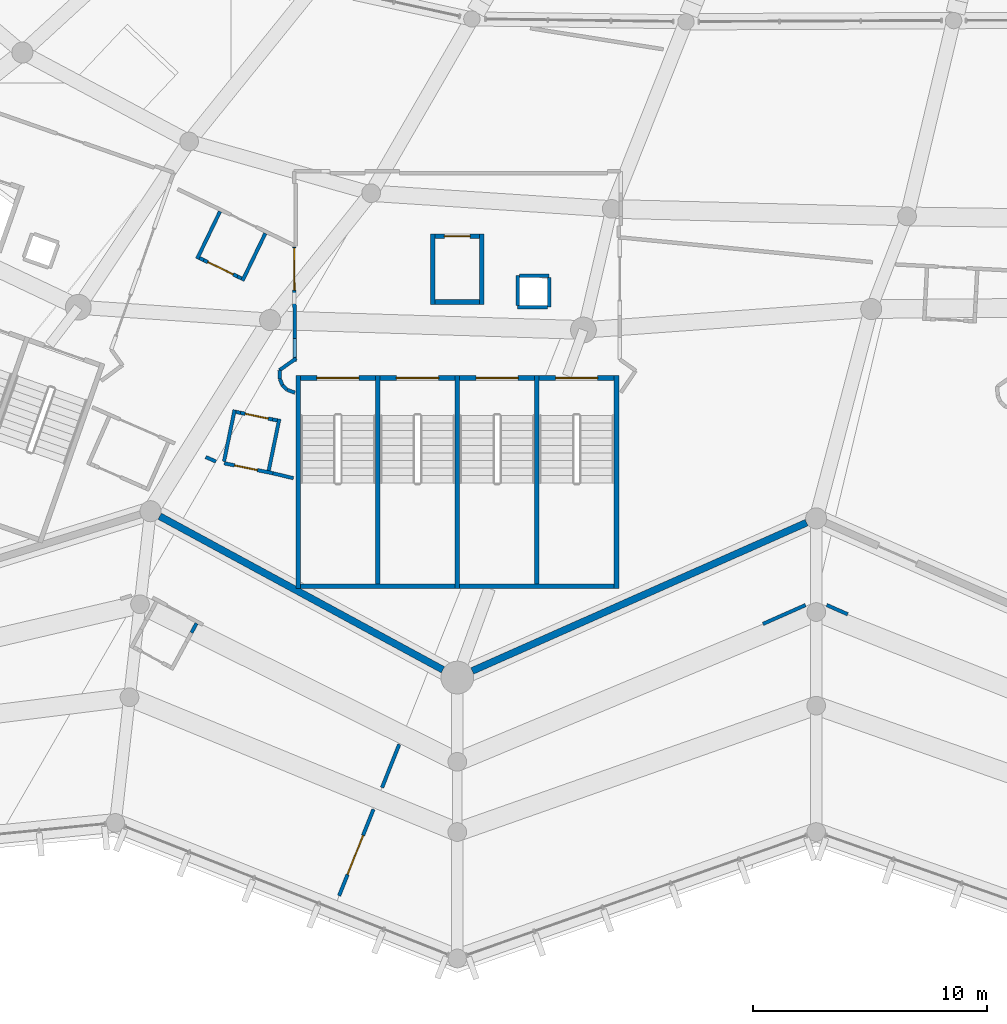
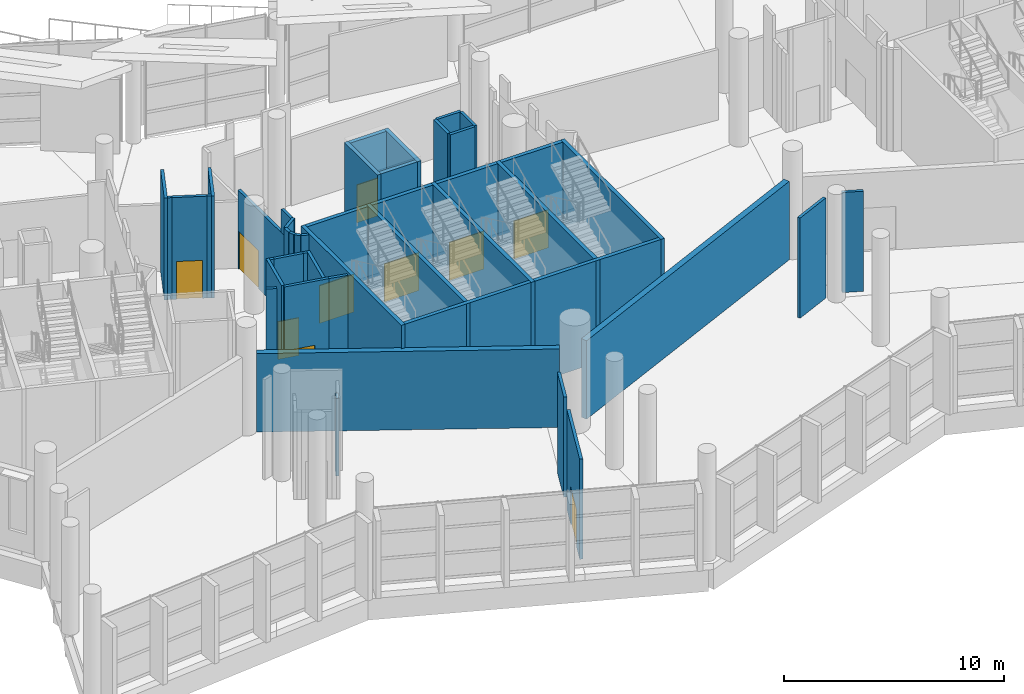
# One storey, part 141 of 249: 46 walls, 10 doors, 10 openings.
"""IFC4 building model written with IfcOpenShell, lengths in metres."""

from ifc_helpers import new_model, si_unit, direction, frame, frame_2d, origin, place, context, subcontext, project, spatial, rectangle, extrude, material, layer, layer_set, type_object, element, fill, save


model = new_model("IFC4")

# Units and contexts
model_context = context("Model", 3, precision=1e-05, world=origin(), true_north=direction((0.0, 1.0)))
body_context = subcontext(model_context, "Body", "Model", "MODEL_VIEW")
ifc_project = project(units=[si_unit("LENGTHUNIT", "METRE"), si_unit("AREAUNIT", "SQUARE_METRE"), si_unit("VOLUMEUNIT", "CUBIC_METRE"), si_unit("PLANEANGLEUNIT", "RADIAN"), si_unit("MASSUNIT", "GRAM", prefix="KILO")], contexts=[model_context])

# Site, building, storey
site_placement = place(None, origin())
site = spatial("IfcSite", under=ifc_project, at=site_placement, CompositionType="ELEMENT")
building_placement = place(site_placement, origin())
building = spatial("IfcBuilding", under=site, at=building_placement, Name="Meseta Stadium", CompositionType="ELEMENT")
storey_placement = place(building_placement, frame((0.0, 0.0, 12.0)))
storey = spatial("IfcBuildingStorey", under=building, at=storey_placement, Name="L02", CompositionType="ELEMENT", Elevation=12.0)

# Walls
ifc_material_1 = material(Name="Concrete C40/50", Category="concrete")
ifc_layer_1 = layer(ifc_material_1, 0.199951171875)
ifc_layer_set_1 = layer_set([ifc_layer_1], Name="Core divider wall 200")
wall_type_1 = type_object("IfcWallType", Name="Core divider wall 200", PredefinedType="SHEAR", material=ifc_layer_set_1)
for number, where, z_axis, x_axis, name in (
    (1, (-41.7333984375, -101.60009765625, 0.0), (0.0, 0.0, 1.0), (0.0, 1.0, 0.0), "Core 23 L02 stair A divider wall"),
    (2, (-34.933349609375, -101.60009765625, 0.0), (0.0, 0.0, 1.0), (0.0, 1.0, 0.0), "Core 23 L02 stair B divider wall"),
):
    element("IfcWall", number, at=place(storey_placement, frame(where, z_axis=z_axis, x_axis=x_axis)), inside=storey, type_object=wall_type_1, Name=name, PredefinedType="SHEAR", context=body_context, shape_type="SweptSolid", body=[
        extrude(rectangle(XDim=9.10009765625, YDim=0.199951171875, at=frame_2d((4.550048828125, 0.0))), origin(), (0.0, 0.0, 1.0), 5.64990234375),
    ])
ifc_material_2 = material(Name="Concrete C40/50", Category="concrete")
ifc_layer_2 = layer(ifc_material_2, 0.199951171875)
ifc_layer_set_2 = layer_set([ifc_layer_2], Name="Core shaft wall 200")
wall_type_2 = type_object("IfcWallType", Name="Core shaft wall 200", PredefinedType="SHEAR", material=ifc_layer_set_2)
for number, where, z_axis, x_axis, name in (
    (3, (-45.13330078125, -101.60009765625, 0.0), (0.0, 0.0, 1.0), (0.0, 1.0, 0.0), "Core 23 L02 stair wall A-side"),
    (4, (-38.333251953125, -101.60009765625, 0.0), (0.0, 0.0, 1.0), (0.0, 1.0, 0.0), "Core 23 L02 stair wall shared"),
    (5, (-31.533203125, -101.60009765625, 0.0), (0.0, 0.0, 1.0), (0.0, 1.0, 0.0), "Core 23 L02 stair wall B-side"),
):
    element("IfcWall", number, at=place(storey_placement, frame(where, z_axis=z_axis, x_axis=x_axis)), inside=storey, type_object=wall_type_2, Name=name, PredefinedType="SHEAR", context=body_context, shape_type="SweptSolid", body=[
        extrude(rectangle(XDim=9.10009765625, YDim=0.199951171875, at=frame_2d((4.550048828125, 0.0))), origin(), (0.0, 0.0, 1.0), 5.64990234375),
    ])
wall_1_placement = place(storey_placement, frame((-45.033203125, -101.5, 0.0), z_axis=(0.0, 0.0, 1.0), x_axis=(1.0, 0.0, 0.0)))
element("IfcWall", 6, at=wall_1_placement, inside=storey, type_object=wall_type_2, Name="Core 23 L02 stair A outer end wall", PredefinedType="SHEAR", context=body_context, shape_type="SweptSolid", body=[
    extrude(rectangle(XDim=6.599853515625, YDim=0.199951171875, at=frame_2d((3.2998046875, 0.0))), origin(), (0.0, 0.0, 1.0), 5.64990234375),
])
wall_2_placement = place(storey_placement, frame((-38.2333984375, -101.5, 0.0), z_axis=(0.0, 0.0, 1.0), x_axis=(1.0, 0.0, 0.0)))
element("IfcWall", 7, at=wall_2_placement, inside=storey, type_object=wall_type_2, Name="Core 23 L02 stair B outer end wall", PredefinedType="SHEAR", context=body_context, shape_type="SweptSolid", body=[
    extrude(rectangle(XDim=6.60009765625, YDim=0.199951171875, at=frame_2d((3.300048828125, 0.0))), origin(), (0.0, 0.0, 1.0), 5.64990234375),
])

# Wall, opening, door
wall_3_placement = place(storey_placement, frame((-45.033203125, -92.60009765625, 0.0), z_axis=(0.0, 0.0, 1.0), x_axis=(1.0, 0.0, 0.0)))
wall_3 = element("IfcWall", 8, at=wall_3_placement, inside=storey, type_object=wall_type_2, Name="Core 23 L02 stair A1 inner end wall", PredefinedType="SHEAR", context=body_context, shape_type="SweptSolid", body=[
    extrude(rectangle(XDim=3.199951171875, YDim=0.199951171875, at=frame_2d((1.60009765625, 0.0))), origin(), (0.0, 0.0, 1.0), 5.64990234375),
])
opening_1_placement = place(wall_3_placement, frame((0.699951171875, 0.0, 0.0)))
opening_1 = element("IfcOpeningElement", 9, at=opening_1_placement, cuts=wall_3, Name="Opening D1095", PredefinedType="OPENING", context=body_context, shape_type="SweptSolid", body=[
    extrude(rectangle(XDim=1.800048828125, YDim=2.10009765625, at=frame_2d((0.89990234375, 1.050048828125))), frame((0.0, 0.10986328125, 0.0), z_axis=(0.0, -1.0, 0.0), x_axis=(1.0, 0.0, 0.0)), (0.0, 0.0, 1.0), 0.219970703125),
])
ifc_material_3 = material(Name="Steel", Category="steel")
door_type_1 = type_object("IfcDoorType", Name="Stair door 1800x2100", OperationType="DOUBLE_DOOR_SINGLE_SWING", PredefinedType="DOOR", material=ifc_material_3)
door_1_placement = place(opening_1_placement, origin())
door_1 = element("IfcDoor", 10, at=door_1_placement, inside=storey, type_object=door_type_1, Name="Stair A1 door 23 L02", OperationType="DOUBLE_DOOR_SINGLE_SWING", OverallHeight=2.10009765625, OverallWidth=1.800048828125, PredefinedType="DOOR", context=body_context, shape_type="SweptSolid", body=[
    extrude(rectangle(XDim=1.800048828125, YDim=2.10009765625, at=frame_2d((0.89990234375, 1.050048828125))), frame((0.0, 0.02490234375, 0.0), z_axis=(0.0, -1.0, 0.0), x_axis=(1.0, 0.0, 0.0)), (0.0, 0.0, 1.0), 0.050048828125),
])
fill(opening_1, door_1)

wall_4_placement = place(storey_placement, frame((-41.63330078125, -92.60009765625, 0.0), z_axis=(0.0, 0.0, 1.0), x_axis=(1.0, 0.0, 0.0)))
wall_4 = element("IfcWall", 11, at=wall_4_placement, inside=storey, type_object=wall_type_2, Name="Core 23 L02 stair A2 inner end wall", PredefinedType="SHEAR", context=body_context, shape_type="SweptSolid", body=[
    extrude(rectangle(XDim=3.199951171875, YDim=0.199951171875, at=frame_2d((1.60009765625, 0.0))), origin(), (0.0, 0.0, 1.0), 5.64990234375),
])
opening_2_placement = place(wall_4_placement, frame((0.699951171875, 0.0, 0.0)))
opening_2 = element("IfcOpeningElement", 12, at=opening_2_placement, cuts=wall_4, Name="Opening D1098", PredefinedType="OPENING", context=body_context, shape_type="SweptSolid", body=[
    extrude(rectangle(XDim=1.800048828125, YDim=2.10009765625, at=frame_2d((0.89990234375, 1.050048828125))), frame((0.0, 0.10986328125, 0.0), z_axis=(0.0, -1.0, 0.0), x_axis=(1.0, 0.0, 0.0)), (0.0, 0.0, 1.0), 0.219970703125),
])
door_2_placement = place(opening_2_placement, origin())
door_2 = element("IfcDoor", 13, at=door_2_placement, inside=storey, type_object=door_type_1, Name="Stair A2 door 23 L02", OperationType="DOUBLE_DOOR_SINGLE_SWING", OverallHeight=2.10009765625, OverallWidth=1.800048828125, PredefinedType="DOOR", context=body_context, shape_type="SweptSolid", body=[
    extrude(rectangle(XDim=1.800048828125, YDim=2.10009765625, at=frame_2d((0.89990234375, 1.050048828125))), frame((0.0, 0.02490234375, 0.0), z_axis=(0.0, -1.0, 0.0), x_axis=(1.0, 0.0, 0.0)), (0.0, 0.0, 1.0), 0.050048828125),
])
fill(opening_2, door_2)

wall_5_placement = place(storey_placement, frame((-38.2333984375, -92.60009765625, 0.0), z_axis=(0.0, 0.0, 1.0), x_axis=(1.0, 0.0, 0.0)))
wall_5 = element("IfcWall", 14, at=wall_5_placement, inside=storey, type_object=wall_type_2, Name="Core 23 L02 stair B1 inner end wall", PredefinedType="SHEAR", context=body_context, shape_type="SweptSolid", body=[
    extrude(rectangle(XDim=3.2001953125, YDim=0.199951171875, at=frame_2d((1.60009765625, 0.0))), origin(), (0.0, 0.0, 1.0), 5.64990234375),
])
opening_3_placement = place(wall_5_placement, frame((0.699951171875, 0.0, 0.0)))
opening_3 = element("IfcOpeningElement", 15, at=opening_3_placement, cuts=wall_5, Name="Opening D1101", PredefinedType="OPENING", context=body_context, shape_type="SweptSolid", body=[
    extrude(rectangle(XDim=1.800048828125, YDim=2.10009765625, at=frame_2d((0.89990234375, 1.050048828125))), frame((0.0, 0.10986328125, 0.0), z_axis=(0.0, -1.0, 0.0), x_axis=(1.0, 0.0, 0.0)), (0.0, 0.0, 1.0), 0.219970703125),
])
door_3_placement = place(opening_3_placement, origin())
door_3 = element("IfcDoor", 16, at=door_3_placement, inside=storey, type_object=door_type_1, Name="Stair B1 door 23 L02", OperationType="DOUBLE_DOOR_SINGLE_SWING", OverallHeight=2.10009765625, OverallWidth=1.800048828125, PredefinedType="DOOR", context=body_context, shape_type="SweptSolid", body=[
    extrude(rectangle(XDim=1.800048828125, YDim=2.10009765625, at=frame_2d((0.89990234375, 1.050048828125))), frame((0.0, 0.02490234375, 0.0), z_axis=(0.0, -1.0, 0.0), x_axis=(1.0, 0.0, 0.0)), (0.0, 0.0, 1.0), 0.050048828125),
])
fill(opening_3, door_3)

wall_6_placement = place(storey_placement, frame((-34.833251953125, -92.60009765625, 0.0), z_axis=(0.0, 0.0, 1.0), x_axis=(1.0, 0.0, 0.0)))
wall_6 = element("IfcWall", 17, at=wall_6_placement, inside=storey, type_object=wall_type_2, Name="Core 23 L02 stair B2 inner end wall", PredefinedType="SHEAR", context=body_context, shape_type="SweptSolid", body=[
    extrude(rectangle(XDim=3.199951171875, YDim=0.199951171875, at=frame_2d((1.60009765625, 0.0))), origin(), (0.0, 0.0, 1.0), 5.64990234375),
])
opening_4_placement = place(wall_6_placement, frame((0.699951171875, 0.0, 0.0)))
opening_4 = element("IfcOpeningElement", 18, at=opening_4_placement, cuts=wall_6, Name="Opening D1104", PredefinedType="OPENING", context=body_context, shape_type="SweptSolid", body=[
    extrude(rectangle(XDim=1.800048828125, YDim=2.10009765625, at=frame_2d((0.89990234375, 1.050048828125))), frame((0.0, 0.10986328125, 0.0), z_axis=(0.0, -1.0, 0.0), x_axis=(1.0, 0.0, 0.0)), (0.0, 0.0, 1.0), 0.219970703125),
])
door_4_placement = place(opening_4_placement, origin())
door_4 = element("IfcDoor", 19, at=door_4_placement, inside=storey, type_object=door_type_1, Name="Stair B2 door 23 L02", OperationType="DOUBLE_DOOR_SINGLE_SWING", OverallHeight=2.10009765625, OverallWidth=1.800048828125, PredefinedType="DOOR", context=body_context, shape_type="SweptSolid", body=[
    extrude(rectangle(XDim=1.800048828125, YDim=2.10009765625, at=frame_2d((0.89990234375, 1.050048828125))), frame((0.0, 0.02490234375, 0.0), z_axis=(0.0, -1.0, 0.0), x_axis=(1.0, 0.0, 0.0)), (0.0, 0.0, 1.0), 0.050048828125),
])
fill(opening_4, door_4)

# Walls
for number, where, z_axis, x_axis, name in (
    (20, (-39.38330078125, -89.451171875, 0.0), (0.0, 0.0, 1.0), (0.0, 1.0, 0.0), "Core 23 L02 lift shaft wall left"),
    (21, (-37.283203125, -89.451171875, 0.0), (0.0, 0.0, 1.0), (0.0, 1.0, 0.0), "Core 23 L02 lift shaft wall right"),
):
    element("IfcWall", number, at=place(storey_placement, frame(where, z_axis=z_axis, x_axis=x_axis)), inside=storey, type_object=wall_type_2, Name=name, PredefinedType="SHEAR", context=body_context, shape_type="SweptSolid", body=[
        extrude(rectangle(XDim=3.0, YDim=0.199951171875, at=frame_2d((1.5, 0.0))), origin(), (0.0, 0.0, 1.0), 4.60009765625),
    ])
wall_7_placement = place(storey_placement, frame((-39.283203125, -89.35107421875, 0.0), z_axis=(0.0, 0.0, 1.0), x_axis=(1.0, 0.0, 0.0)))
element("IfcWall", 22, at=wall_7_placement, inside=storey, type_object=wall_type_2, Name="Core 23 L02 lift shaft back wall", PredefinedType="SHEAR", context=body_context, shape_type="SweptSolid", body=[
    extrude(rectangle(XDim=1.89990234375, YDim=0.199951171875, at=frame_2d((0.949951171875, 0.0))), origin(), (0.0, 0.0, 1.0), 4.60009765625),
])

# Wall, opening, door
wall_8_placement = place(storey_placement, frame((-39.283203125, -86.551025390625, 0.0), z_axis=(0.0, 0.0, 1.0), x_axis=(1.0, 0.0, 0.0)))
wall_8 = element("IfcWall", 23, at=wall_8_placement, inside=storey, type_object=wall_type_2, Name="Core 23 L02 lift shaft front wall", PredefinedType="SHEAR", context=body_context, shape_type="SweptSolid", body=[
    extrude(rectangle(XDim=1.89990234375, YDim=0.199951171875, at=frame_2d((0.949951171875, 0.0))), origin(), (0.0, 0.0, 1.0), 4.60009765625),
])
opening_5_placement = place(wall_8_placement, frame((0.39990234375, 0.0, 0.0)))
opening_5 = element("IfcOpeningElement", 24, at=opening_5_placement, cuts=wall_8, Name="Opening LD128", PredefinedType="OPENING", context=body_context, shape_type="SweptSolid", body=[
    extrude(rectangle(XDim=1.10009765625, YDim=2.10009765625, at=frame_2d((0.550048828125, 1.050048828125))), frame((0.0, 0.10986328125, 0.0), z_axis=(0.0, -1.0, 0.0), x_axis=(1.0, 0.0, 0.0)), (0.0, 0.0, 1.0), 0.219970703125),
])
ifc_material_4 = material(Name="Steel", Category="steel")
door_type_2 = type_object("IfcDoorType", Name="Lift landing door 1100x2100", OperationType="SLIDING_TO_LEFT", PredefinedType="DOOR", material=ifc_material_4)
door_5_placement = place(opening_5_placement, origin())
door_5 = element("IfcDoor", 25, at=door_5_placement, inside=storey, type_object=door_type_2, Name="Lift landing door LD128", OperationType="SLIDING_TO_RIGHT", OverallHeight=2.10009765625, OverallWidth=1.10009765625, PredefinedType="DOOR", context=body_context, shape_type="SweptSolid", body=[
    extrude(rectangle(XDim=1.10009765625, YDim=2.10009765625, at=frame_2d((0.550048828125, 1.050048828125))), frame((0.0, 0.02490234375, 0.0), z_axis=(0.0, -1.0, 0.0), x_axis=(1.0, 0.0, 0.0)), (0.0, 0.0, 1.0), 0.050048828125),
])
fill(opening_5, door_5)

# Wall
ifc_material_5 = material(Name="Masonry blockwork", Category="masonry")
ifc_layer_3 = layer(ifc_material_5, 0.14990234375)
ifc_layer_set_3 = layer_set([ifc_layer_3], Name="Partition 150")
wall_type_3 = type_object("IfcWallType", Name="Partition 150", PredefinedType="PARTITIONING", material=ifc_layer_set_3)
wall_9_placement = place(storey_placement, frame((-49.082763671875, -95.978515625, 0.0), z_axis=(0.0, 0.0, 1.0), x_axis=(0.915644030191, -0.401990062035, 0.0)))
element("IfcWall", 26, at=wall_9_placement, inside=storey, type_object=wall_type_3, Name="Partition L02 L02-cell21-2-0", PredefinedType="PARTITIONING", context=body_context, shape_type="SweptSolid", body=[
    extrude(rectangle(XDim=0.48095703125, YDim=0.14990234375, at=frame_2d((0.240478515625, 0.0))), origin(), (0.0, 0.0, 1.0), 5.64990234375),
])

# Wall, opening, door
wall_10_placement = place(storey_placement, frame((-48.29150390625, -96.244140625, 0.0), z_axis=(0.0, 0.0, 1.0), x_axis=(0.979454370032, -0.201665904471, 0.0)))
wall_10 = element("IfcWall", 27, at=wall_10_placement, inside=storey, type_object=wall_type_3, Name="Partition L02 L02-cell21-2-0", PredefinedType="PARTITIONING", context=body_context, shape_type="SweptSolid", body=[
    extrude(rectangle(XDim=2.122314453125, YDim=0.14990234375, at=frame_2d((1.06103515625, 0.0))), origin(), (0.0, 0.0, 1.0), 5.64990234375),
])
opening_6_placement = place(wall_10_placement, frame((0.449951171875, 0.0, 0.0)))
opening_6 = element("IfcOpeningElement", 28, at=opening_6_placement, cuts=wall_10, Name="Opening D1090", PredefinedType="OPENING", context=body_context, shape_type="SweptSolid", body=[
    extrude(rectangle(XDim=1.0, YDim=2.10009765625, at=frame_2d((0.5, 1.050048828125))), frame((0.0, 0.0849609375, 0.0), z_axis=(0.0, -1.0, 0.0), x_axis=(1.0, 0.0, 0.0)), (0.0, 0.0, 1.0), 0.169921875),
])
ifc_material_6 = material(Name="Steel", Category="steel")
door_type_3 = type_object("IfcDoorType", Name="Fire door 1000x2100 EI2 120", OperationType="NOTDEFINED", PredefinedType="DOOR", material=ifc_material_6)
door_6_placement = place(opening_6_placement, origin())
door_6 = element("IfcDoor", 29, at=door_6_placement, inside=storey, type_object=door_type_3, Name="Room door L02 L02-cell21-2-0", OperationType="SINGLE_SWING_LEFT", OverallHeight=2.10009765625, OverallWidth=1.0, PredefinedType="DOOR", context=body_context, shape_type="SweptSolid", body=[
    extrude(rectangle(XDim=1.0, YDim=2.10009765625, at=frame_2d((0.5, 1.050048828125))), frame((0.0, 0.02490234375, 0.0), z_axis=(0.0, -1.0, 0.0), x_axis=(1.0, 0.0, 0.0)), (0.0, 0.0, 1.0), 0.050048828125),
])
fill(opening_6, door_6)

# Walls
wall_11_placement = place(storey_placement, frame((-46.212890625, -96.672119140625, 0.0), z_axis=(0.0, 0.0, 1.0), x_axis=(0.972431382429, -0.233189207443, 0.0)))
element("IfcWall", 30, at=wall_11_placement, inside=storey, type_object=wall_type_3, Name="Partition L02 L02-cell21-2-0", PredefinedType="PARTITIONING", context=body_context, shape_type="SweptSolid", body=[
    extrude(rectangle(XDim=0.904541015625, YDim=0.14990234375, at=frame_2d((0.4521484375, 0.0))), origin(), (0.0, 0.0, 1.0), 5.64990234375),
])
wall_12_placement = place(storey_placement, frame((-40.815673828125, -108.255615234375, 0.0), z_axis=(0.0, 0.0, 1.0), x_axis=(-0.368890988449, -0.929472666968, 0.0)))
element("IfcWall", 31, at=wall_12_placement, inside=storey, type_object=wall_type_3, Name="Partition L02 L02-ring21-0", PredefinedType="PARTITIONING", context=body_context, shape_type="SweptSolid", body=[
    extrude(rectangle(XDim=1.988037109375, YDim=0.14990234375, at=frame_2d((0.994140625, 0.0))), origin(), (0.0, 0.0, 1.0), 5.550048828125),
])

# Wall, opening, door
wall_13_placement = place(storey_placement, frame((-43.38232421875, -114.723388671875, 0.0), z_axis=(0.0, 0.0, 1.0), x_axis=(0.368837942024, 0.929493718388, 0.0)))
wall_13 = element("IfcWall", 32, at=wall_13_placement, inside=storey, type_object=wall_type_3, Name="Partition L02 L02-ring21-0", PredefinedType="PARTITIONING", context=body_context, shape_type="SweptSolid", body=[
    extrude(rectangle(XDim=3.97607421875, YDim=0.14990234375, at=frame_2d((1.988037109375, 0.0))), origin(), (0.0, 0.0, 1.0), 5.550048828125),
])
opening_7_placement = place(wall_13_placement, frame((0.976318359375, 0.0, 0.0)))
opening_7 = element("IfcOpeningElement", 33, at=opening_7_placement, cuts=wall_13, Name="Opening D1096", PredefinedType="OPENING", context=body_context, shape_type="SweptSolid", body=[
    extrude(rectangle(XDim=1.800048828125, YDim=2.10009765625, at=frame_2d((0.89990234375, 1.050048828125))), frame((0.0, 0.0849609375, 0.0), z_axis=(0.0, -1.0, 0.0), x_axis=(1.0, 0.0, 0.0)), (0.0, 0.0, 1.0), 0.169921875),
])
ifc_material_7 = material(Name="Steel", Category="steel")
door_type_4 = type_object("IfcDoorType", Name="Fire double door 1800x2100 EI2 60", OperationType="DOUBLE_DOOR_SINGLE_SWING", PredefinedType="DOOR", material=ifc_material_7)
door_7_placement = place(opening_7_placement, origin())
door_7 = element("IfcDoor", 34, at=door_7_placement, inside=storey, type_object=door_type_4, Name="Room door L02 L02-ring22-0", OperationType="DOUBLE_DOOR_SINGLE_SWING", OverallHeight=2.10009765625, OverallWidth=1.800048828125, PredefinedType="DOOR", context=body_context, shape_type="SweptSolid", body=[
    extrude(rectangle(XDim=1.800048828125, YDim=2.10009765625, at=frame_2d((0.89990234375, 1.050048828125))), frame((0.0, 0.02490234375, 0.0), z_axis=(0.0, -1.0, 0.0), x_axis=(1.0, 0.0, 0.0)), (0.0, 0.0, 1.0), 0.050048828125),
])
fill(opening_7, door_7)

# Walls
wall_14_placement = place(storey_placement, frame((-25.275634765625, -103.10986328125, 0.0), z_axis=(0.0, 0.0, 1.0), x_axis=(0.914139836341, 0.405399012844, 0.0)))
element("IfcWall", 35, at=wall_14_placement, inside=storey, type_object=wall_type_3, Name="Partition L02 L02-ring22-0", PredefinedType="PARTITIONING", context=body_context, shape_type="SweptSolid", body=[
    extrude(rectangle(XDim=1.991455078125, YDim=0.14990234375, at=frame_2d((0.99560546875, 0.0))), origin(), (0.0, 0.0, 1.0), 5.550048828125),
])
wall_15_placement = place(storey_placement, frame((-22.551513671875, -102.299560546875, 0.0), z_axis=(0.0, 0.0, 1.0), x_axis=(0.914119005748, -0.405445980781, 0.0)))
element("IfcWall", 36, at=wall_15_placement, inside=storey, type_object=wall_type_3, Name="Partition L02 L02-ring22-0", PredefinedType="PARTITIONING", context=body_context, shape_type="SweptSolid", body=[
    extrude(rectangle(XDim=0.9814453125, YDim=0.14990234375, at=frame_2d((0.49072265625, 0.0))), origin(), (0.0, 0.0, 1.0), 5.550048828125),
])
wall_16_placement = place(storey_placement, frame((-35.75830078125, -89.576171875, 0.0), z_axis=(0.0, 0.0, 1.0), x_axis=(1.0, 0.0, 0.0)))
element("IfcWall", 37, at=wall_16_placement, inside=storey, type_object=wall_type_3, Name="Pressurisation shaft wall L02 core 23", PredefinedType="PARTITIONING", context=body_context, shape_type="SweptSolid", body=[
    extrude(rectangle(XDim=1.27490234375, YDim=0.14990234375, at=frame_2d((0.637451171875, 0.0))), origin(), (0.0, 0.0, 1.0), 5.64990234375),
])
for number, where, z_axis, x_axis, name in (
    (38, (-34.408203125, -89.576171875, 0.0), (0.0, 0.0, 1.0), (0.0, 1.0, 0.0), "Pressurisation shaft wall L02 core 23"),
    (39, (-34.408203125, -88.22607421875, 0.0), (0.0, 0.0, 1.0), (-1.0, 0.0, 0.0), "Pressurisation shaft wall L02 core 23"),
    (40, (-35.75830078125, -88.22607421875, 0.0), (0.0, 0.0, 1.0), (0.0, -1.0, 0.0), "Pressurisation shaft wall L02 core 23"),
):
    element("IfcWall", number, at=place(storey_placement, frame(where, z_axis=z_axis, x_axis=x_axis)), inside=storey, type_object=wall_type_3, Name=name, PredefinedType="PARTITIONING", context=body_context, shape_type="SweptSolid", body=[
        extrude(rectangle(XDim=1.275146484375, YDim=0.14990234375, at=frame_2d((0.6376953125, 0.0))), origin(), (0.0, 0.0, 1.0), 5.64990234375),
    ])
wall_17_placement = place(storey_placement, frame((-45.21630859375, -91.763916015625, 0.0), z_axis=(0.0, 0.0, 1.0), x_axis=(-0.815931335572, -0.578148817894, 0.0)))
element("IfcWall", 41, at=wall_17_placement, inside=storey, type_object=wall_type_3, Name="Stair vestibule wall L02 core 23", PredefinedType="PARTITIONING", context=body_context, shape_type="SweptSolid", body=[
    extrude(rectangle(XDim=0.875732421875, YDim=0.14990234375, at=frame_2d((0.43798828125, 0.0))), origin(), (0.0, 0.0, 1.0), 5.64990234375),
])
wall_18_placement = place(storey_placement, frame((-45.930908203125, -92.270263671875, 0.0), z_axis=(0.0, 0.0, 1.0), x_axis=(0.042929137953, -0.999078119626, 0.0)))
element("IfcWall", 42, at=wall_18_placement, inside=storey, type_object=wall_type_3, Name="Stair vestibule wall L02 core 23", PredefinedType="PARTITIONING", context=body_context, shape_type="SweptSolid", body=[
    extrude(rectangle(XDim=0.375244140625, YDim=0.14990234375, at=frame_2d((0.1875, 0.0))), origin(), (0.0, 0.0, 1.0), 5.64990234375),
])
wall_19_placement = place(storey_placement, frame((-45.914794921875, -92.645263671875, 0.0), z_axis=(0.0, 0.0, 1.0), x_axis=(0.384677041424, -0.923051230323, 0.0)))
element("IfcWall", 43, at=wall_19_placement, inside=storey, type_object=wall_type_3, Name="Stair vestibule wall L02 core 23", PredefinedType="PARTITIONING", context=body_context, shape_type="SweptSolid", body=[
    extrude(rectangle(XDim=0.28125, YDim=0.14990234375, at=frame_2d((0.140625, 0.0))), origin(), (0.0, 0.0, 1.0), 5.64990234375),
])
wall_20_placement = place(storey_placement, frame((-45.806640625, -92.90478515625, 0.0), z_axis=(0.0, 0.0, 1.0), x_axis=(0.707964399137, -0.706248121806, 0.0)))
element("IfcWall", 44, at=wall_20_placement, inside=storey, type_object=wall_type_3, Name="Stair vestibule wall L02 core 23", PredefinedType="PARTITIONING", context=body_context, shape_type="SweptSolid", body=[
    extrude(rectangle(XDim=0.284423828125, YDim=0.14990234375, at=frame_2d((0.14208984375, 0.0))), origin(), (0.0, 0.0, 1.0), 5.64990234375),
])
wall_21_placement = place(storey_placement, frame((-45.605224609375, -93.105712890625, 0.0), z_axis=(0.0, 0.0, 1.0), x_axis=(0.938178847311, -0.34615090706, 0.0)))
element("IfcWall", 45, at=wall_21_placement, inside=storey, type_object=wall_type_3, Name="Stair vestibule wall L02 core 23", PredefinedType="PARTITIONING", context=body_context, shape_type="SweptSolid", body=[
    extrude(rectangle(XDim=0.35546875, YDim=0.14990234375, at=frame_2d((0.177734375, 0.0))), origin(), (0.0, 0.0, 1.0), 5.64990234375),
])

# Wall, opening, door
wall_22_placement = place(storey_placement, frame((-45.297607421875, -86.999755859375, 0.0), z_axis=(0.0, 0.0, 1.0), x_axis=(0.003495783674, -0.99999388973, 0.0)))
wall_22 = element("IfcWall", 46, at=wall_22_placement, inside=storey, type_object=wall_type_3, Name="Stair vestibule wall L02 core 23", PredefinedType="PARTITIONING", context=body_context, shape_type="SweptSolid", body=[
    extrude(rectangle(XDim=4.888671875, YDim=0.14990234375, at=frame_2d((2.4443359375, 0.0))), origin(), (0.0, 0.0, 1.0), 4.35009765625),
])
opening_8_placement = place(wall_22_placement, frame((0.050048828125, 0.0, 0.0)))
opening_8 = element("IfcOpeningElement", 47, at=opening_8_placement, cuts=wall_22, Name="Opening D1093", PredefinedType="OPENING", context=body_context, shape_type="SweptSolid", body=[
    extrude(rectangle(XDim=1.800048828125, YDim=2.10009765625, at=frame_2d((0.89990234375, 1.050048828125))), frame((0.0, 0.0849609375, 0.0), z_axis=(0.0, -1.0, 0.0), x_axis=(1.0, 0.0, 0.0)), (0.0, 0.0, 1.0), 0.169921875),
])
door_8_placement = place(opening_8_placement, origin())
door_8 = element("IfcDoor", 48, at=door_8_placement, inside=storey, type_object=door_type_4, Name="Stair vestibule door L02 core 23", OperationType="DOUBLE_DOOR_SINGLE_SWING", OverallHeight=2.10009765625, OverallWidth=1.800048828125, PredefinedType="DOOR", context=body_context, shape_type="SweptSolid", body=[
    extrude(rectangle(XDim=1.800048828125, YDim=2.10009765625, at=frame_2d((0.89990234375, 1.050048828125))), frame((0.0, 0.02490234375, 0.0), z_axis=(0.0, -1.0, 0.0), x_axis=(1.0, 0.0, 0.0)), (0.0, 0.0, 1.0), 0.050048828125),
])
fill(opening_8, door_8)

# Walls
wall_23_placement = place(storey_placement, frame((-45.283935546875, -90.90625, 4.35009765625), z_axis=(0.0, 0.0, 1.0), x_axis=(0.003479968985, -0.99999394489, 0.0)))
element("IfcWall", 49, at=wall_23_placement, inside=storey, type_object=wall_type_3, Name="Stair vestibule wall L02 core 23", PredefinedType="PARTITIONING", context=body_context, shape_type="SweptSolid", body=[
    extrude(rectangle(XDim=0.982177734375, YDim=0.14990234375, at=frame_2d((0.4912109375, 0.0))), origin(), (0.0, 0.0, 1.0), 1.2998046875),
])
for number, where, z_axis, x_axis, name in (
    (50, (-46.5341796875, -86.422607421875, 0.0), (0.0, 0.0, 1.0), (-0.434758168481, -0.900547241925, 0.0), "Partition L02 L02-cell21-0-0 vestibule"),
    (51, (-48.47021484375, -85.48779296875, 0.0), (0.0, 0.0, 1.0), (-0.434758168481, -0.900547241925, 0.0), "Partition L02 L02-cell21-0-0 vestibule"),
):
    element("IfcWall", number, at=place(storey_placement, frame(where, z_axis=z_axis, x_axis=x_axis)), inside=storey, type_object=wall_type_3, Name=name, PredefinedType="PARTITIONING", context=body_context, shape_type="SweptSolid", body=[
        extrude(rectangle(XDim=2.250244140625, YDim=0.14990234375, at=frame_2d((1.125, 0.0))), origin(), (0.0, 0.0, 1.0), 5.64990234375),
    ])
wall_24_placement = place(storey_placement, frame((-47.54736328125, -88.348876953125, 0.0), z_axis=(0.0, 0.0, 1.0), x_axis=(-0.900205528442, 0.435465275954, 0.0)))
element("IfcWall", 52, at=wall_24_placement, inside=storey, type_object=wall_type_3, Name="Partition L02 L02-cell21-0-0 vestibule", PredefinedType="PARTITIONING", context=body_context, shape_type="SweptSolid", body=[
    extrude(rectangle(XDim=0.2001953125, YDim=0.14990234375, at=frame_2d((0.10009765625, 0.0))), origin(), (0.0, 0.0, 1.0), 5.64990234375),
])

# Wall, opening, door
wall_25_placement = place(storey_placement, frame((-47.7275390625, -88.26171875, 0.0), z_axis=(0.0, 0.0, 1.0), x_axis=(-0.90053721394, 0.434778939589, 0.0)))
wall_25 = element("IfcWall", 53, at=wall_25_placement, inside=storey, type_object=wall_type_3, Name="Partition L02 L02-cell21-0-0 vestibule", PredefinedType="PARTITIONING", context=body_context, shape_type="SweptSolid", body=[
    extrude(rectangle(XDim=1.599853515625, YDim=0.14990234375, at=frame_2d((0.7998046875, 0.0))), origin(), (0.0, 0.0, 1.0), 5.64990234375),
])
opening_9_placement = place(wall_25_placement, frame((0.199951171875, 0.0, 0.0)))
opening_9 = element("IfcOpeningElement", 54, at=opening_9_placement, cuts=wall_25, Name="Opening D1088", PredefinedType="OPENING", context=body_context, shape_type="SweptSolid", body=[
    extrude(rectangle(XDim=1.199951171875, YDim=2.10009765625, at=frame_2d((0.60009765625, 1.050048828125))), frame((0.0, 0.0849609375, 0.0), z_axis=(0.0, -1.0, 0.0), x_axis=(1.0, 0.0, 0.0)), (0.0, 0.0, 1.0), 0.169921875),
])
ifc_material_8 = material(Name="Steel", Category="steel")
door_type_5 = type_object("IfcDoorType", Name="Fire door 1200x2100 EI2 60", OperationType="NOTDEFINED", PredefinedType="DOOR", material=ifc_material_8)
door_9_placement = place(opening_9_placement, origin())
door_9 = element("IfcDoor", 55, at=door_9_placement, inside=storey, type_object=door_type_5, Name="Vestibule door L02 L02-cell21-0-0", OperationType="SINGLE_SWING_LEFT", OverallHeight=2.10009765625, OverallWidth=1.199951171875, PredefinedType="DOOR", context=body_context, shape_type="SweptSolid", body=[
    extrude(rectangle(XDim=1.199951171875, YDim=2.10009765625, at=frame_2d((0.60009765625, 1.050048828125))), frame((0.0, 0.02490234375, 0.0), z_axis=(0.0, -1.0, 0.0), x_axis=(1.0, 0.0, 0.0)), (0.0, 0.0, 1.0), 0.050048828125),
])
fill(opening_9, door_9)

# Walls
wall_26_placement = place(storey_placement, frame((-49.168212890625, -87.566162109375, 0.0), z_axis=(0.0, 0.0, 1.0), x_axis=(-0.900205528442, 0.435465275954, 0.0)))
element("IfcWall", 56, at=wall_26_placement, inside=storey, type_object=wall_type_3, Name="Partition L02 L02-cell21-0-0 vestibule", PredefinedType="PARTITIONING", context=body_context, shape_type="SweptSolid", body=[
    extrude(rectangle(XDim=0.2001953125, YDim=0.14990234375, at=frame_2d((0.10009765625, 0.0))), origin(), (0.0, 0.0, 1.0), 5.64990234375),
])
wall_27_placement = place(storey_placement, frame((-48.30078125, -96.16552734375, 0.0), z_axis=(0.0, 0.0, 1.0), x_axis=(0.201726403033, 0.979441911662, 0.0)))
element("IfcWall", 57, at=wall_27_placement, inside=storey, type_object=wall_type_3, Name="Partition L02 L02-cell21-2-0 vestibule", PredefinedType="PARTITIONING", context=body_context, shape_type="SweptSolid", body=[
    extrude(rectangle(XDim=2.249755859375, YDim=0.14990234375, at=frame_2d((1.125, 0.0))), origin(), (0.0, 0.0, 1.0), 5.64990234375),
])
wall_28_placement = place(storey_placement, frame((-46.390869140625, -96.558837890625, 0.0), z_axis=(0.0, 0.0, 1.0), x_axis=(0.201704965263, 0.979446326752, 0.0)))
element("IfcWall", 58, at=wall_28_placement, inside=storey, type_object=wall_type_3, Name="Partition L02 L02-cell21-2-0 vestibule", PredefinedType="PARTITIONING", context=body_context, shape_type="SweptSolid", body=[
    extrude(rectangle(XDim=2.25, YDim=0.14990234375, at=frame_2d((1.125, 0.0))), origin(), (0.0, 0.0, 1.0), 5.64990234375),
])
wall_29_placement = place(storey_placement, frame((-47.78857421875, -94.05029296875, 0.0), z_axis=(0.0, 0.0, 1.0), x_axis=(0.979243709193, -0.202686353773, 0.0)))
element("IfcWall", 59, at=wall_29_placement, inside=storey, type_object=wall_type_3, Name="Partition L02 L02-cell21-2-0 vestibule", PredefinedType="PARTITIONING", context=body_context, shape_type="SweptSolid", body=[
    extrude(rectangle(XDim=0.199951171875, YDim=0.14990234375, at=frame_2d((0.10009765625, 0.0))), origin(), (0.0, 0.0, 1.0), 5.64990234375),
])

# Wall, opening, door
wall_30_placement = place(storey_placement, frame((-47.5927734375, -94.0908203125, 0.0), z_axis=(0.0, 0.0, 1.0), x_axis=(0.9794722351, -0.201579117639, 0.0)))
wall_30 = element("IfcWall", 60, at=wall_30_placement, inside=storey, type_object=wall_type_3, Name="Partition L02 L02-cell21-2-0 vestibule", PredefinedType="PARTITIONING", context=body_context, shape_type="SweptSolid", body=[
    extrude(rectangle(XDim=1.400146484375, YDim=0.14990234375, at=frame_2d((0.7001953125, 0.0))), origin(), (0.0, 0.0, 1.0), 5.64990234375),
])
opening_10_placement = place(wall_30_placement, frame((0.199951171875, 0.0, 0.0)))
opening_10 = element("IfcOpeningElement", 61, at=opening_10_placement, cuts=wall_30, Name="Opening D1091", PredefinedType="OPENING", context=body_context, shape_type="SweptSolid", body=[
    extrude(rectangle(XDim=1.0, YDim=2.10009765625, at=frame_2d((0.5, 1.050048828125))), frame((0.0, 0.0849609375, 0.0), z_axis=(0.0, -1.0, 0.0), x_axis=(1.0, 0.0, 0.0)), (0.0, 0.0, 1.0), 0.169921875),
])
ifc_material_9 = material(Name="Steel", Category="steel")
door_type_6 = type_object("IfcDoorType", Name="Fire door 1000x2100 EI2 60", OperationType="NOTDEFINED", PredefinedType="DOOR", material=ifc_material_9)
door_10_placement = place(opening_10_placement, origin())
door_10 = element("IfcDoor", 62, at=door_10_placement, inside=storey, type_object=door_type_6, Name="Vestibule door L02 L02-cell21-2-0", OperationType="SINGLE_SWING_LEFT", OverallHeight=2.10009765625, OverallWidth=1.0, PredefinedType="DOOR", context=body_context, shape_type="SweptSolid", body=[
    extrude(rectangle(XDim=1.0, YDim=2.10009765625, at=frame_2d((0.5, 1.050048828125))), frame((0.0, 0.02490234375, 0.0), z_axis=(0.0, -1.0, 0.0), x_axis=(1.0, 0.0, 0.0)), (0.0, 0.0, 1.0), 0.050048828125),
])
fill(opening_10, door_10)

# Walls
wall_31_placement = place(storey_placement, frame((-46.221435546875, -94.373046875, 0.0), z_axis=(0.0, 0.0, 1.0), x_axis=(0.979243709193, -0.202686353773, 0.0)))
element("IfcWall", 63, at=wall_31_placement, inside=storey, type_object=wall_type_3, Name="Partition L02 L02-cell21-2-0 vestibule", PredefinedType="PARTITIONING", context=body_context, shape_type="SweptSolid", body=[
    extrude(rectangle(XDim=0.199951171875, YDim=0.14990234375, at=frame_2d((0.10009765625, 0.0))), origin(), (0.0, 0.0, 1.0), 5.64990234375),
])
wall_32_placement = place(storey_placement, frame((-49.474853515625, -103.085693359375, 0.0), z_axis=(0.0, 0.0, 1.0), x_axis=(-0.476912253193, -0.878950910321, 0.0)))
element("IfcWall", 64, at=wall_32_placement, inside=storey, type_object=wall_type_3, Name="Partition L02 L02-ring21-0 vestibule", PredefinedType="PARTITIONING", context=body_context, shape_type="SweptSolid", body=[
    extrude(rectangle(XDim=0.449951171875, YDim=0.14990234375, at=frame_2d((0.22509765625, 0.0))), origin(), (0.0, 0.0, 1.0), 4.300048828125),
])
ifc_material_10 = material(Name="White precast concrete C40/50", Category="concrete")
ifc_layer_4 = layer(ifc_material_10, 0.300048828125)
ifc_layer_set_4 = layer_set([ifc_layer_4], Name="Pleated panel wall 300 concourse")
wall_type_4 = type_object("IfcWallType", Name="Pleated panel wall 300 concourse", PredefinedType="SOLIDWALL", material=ifc_layer_set_4)
wall_33_placement = place(storey_placement, frame((-38.948486328125, -105.06640625, 0.0), z_axis=(0.0, 0.0, 1.0), x_axis=(-0.879144247164, 0.476555760304, 0.0)))
element("IfcWall", 65, at=wall_33_placement, inside=storey, type_object=wall_type_4, Name="Pleated facade panel L02 F43", PredefinedType="SOLIDWALL", context=body_context, shape_type="SweptSolid", body=[
    extrude(rectangle(XDim=13.760498046875, YDim=0.300048828125, at=frame_2d((6.88037109375, 0.0))), origin(), (0.0, 0.0, 1.0), 4.35009765625),
])
wall_34_placement = place(storey_placement, frame((-23.410888671875, -98.7822265625, 0.0), z_axis=(0.0, 0.0, 1.0), x_axis=(-0.914140506485, -0.405397501722, 0.0)))
element("IfcWall", 66, at=wall_34_placement, inside=storey, type_object=wall_type_4, Name="Pleated facade panel L02 F44", PredefinedType="SOLIDWALL", context=body_context, shape_type="SweptSolid", body=[
    extrude(rectangle(XDim=15.624755859375, YDim=0.300048828125, at=frame_2d((7.8125, 0.0))), origin(), (0.0, 0.0, 1.0), 4.35009765625),
])

save(model, "model.ifc")
